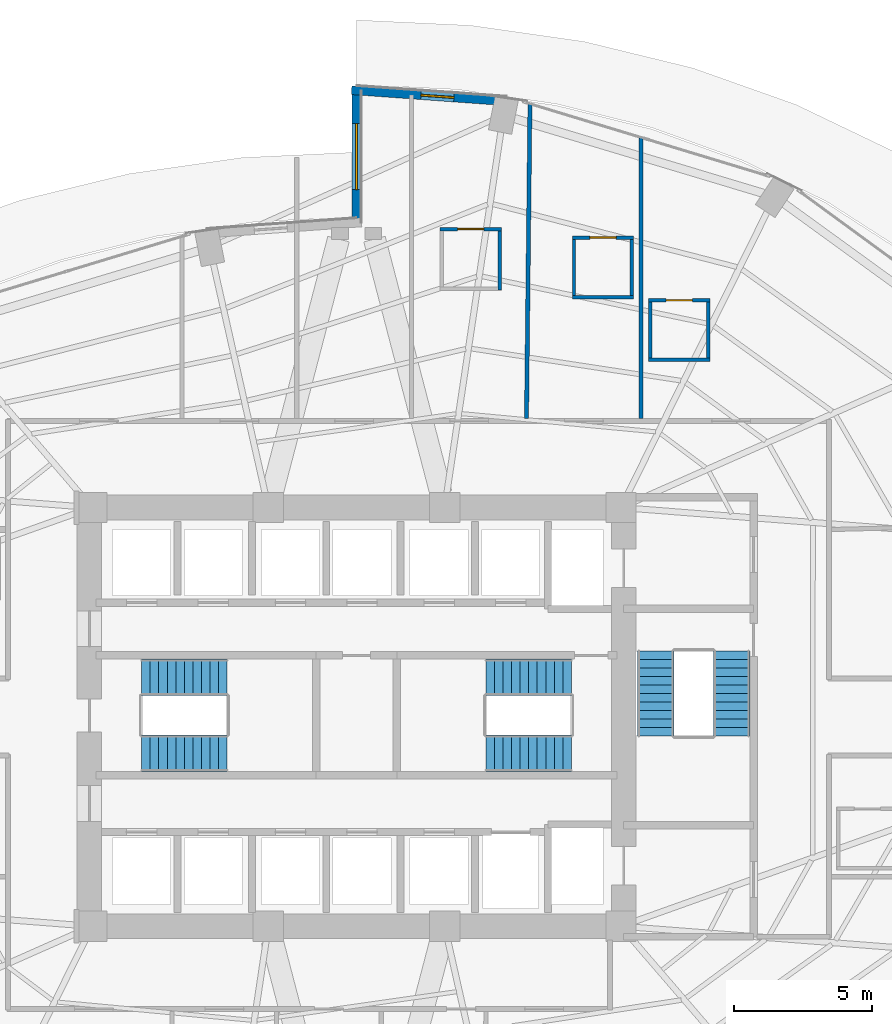
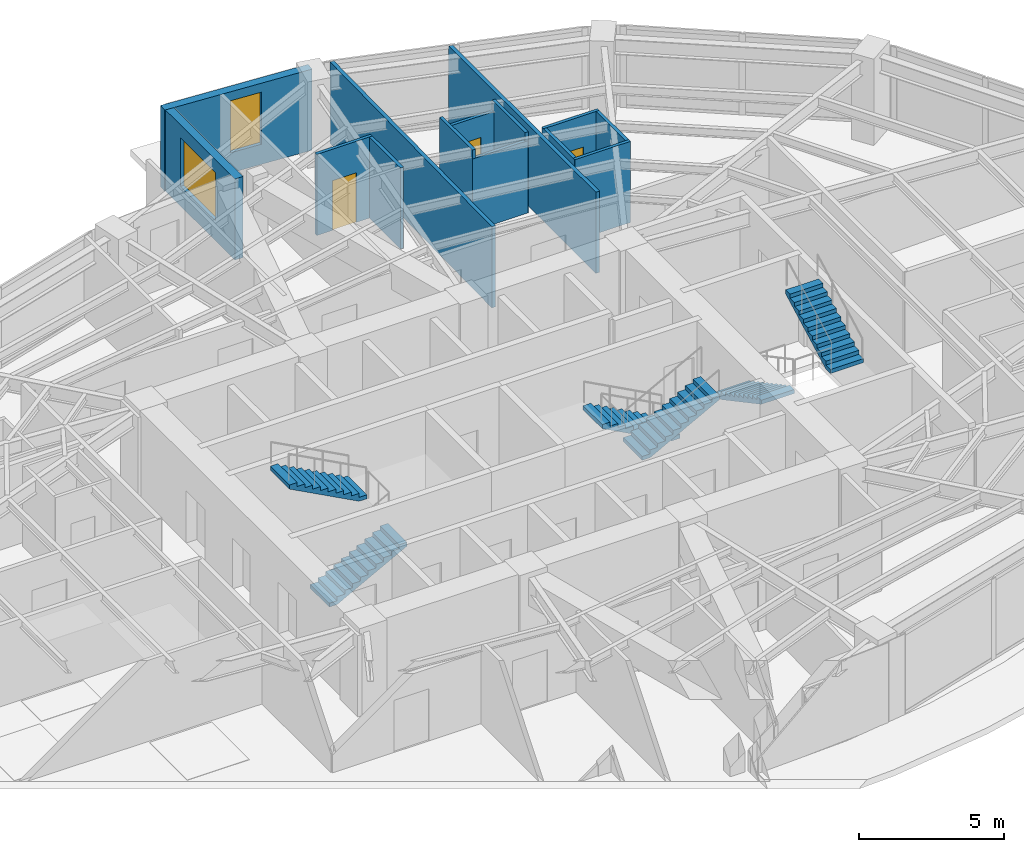
# One storey, part 23 of 25: 14 walls, 6 stair flights, 3 doors, 2 windows, 5 openings, 3 elements without a shape of their own.
"""IFC4 building model written with IfcOpenShell, lengths in metres."""

from ifc_helpers import new_model, si_unit, direction, frame, frame_2d, origin, place, context, subcontext, project, spatial, polyline, rectangle, outline, extrude, material, layer, layer_set, type_object, element, fill, aggregate, save


model = new_model("IFC4")

# Units and contexts
model_context = context("Model", 3, precision=1e-05, world=origin(), true_north=direction((0.0, 1.0)))
body_context = subcontext(model_context, "Body", "Model", "MODEL_VIEW")
ifc_project = project(units=[si_unit("LENGTHUNIT", "METRE"), si_unit("AREAUNIT", "SQUARE_METRE"), si_unit("VOLUMEUNIT", "CUBIC_METRE"), si_unit("PLANEANGLEUNIT", "RADIAN"), si_unit("MASSUNIT", "GRAM", prefix="KILO")], contexts=[model_context])

# Site, building, storey
site_placement = place(None, origin())
site = spatial("IfcSite", under=ifc_project, at=site_placement, CompositionType="ELEMENT")
building_placement = place(site_placement, origin())
building = spatial("IfcBuilding", under=site, at=building_placement, Name="Lazwardi Medical Tower", CompositionType="ELEMENT")
storey_placement = place(building_placement, frame((0.0, 0.0, 25.199951171875)))
storey = spatial("IfcBuildingStorey", under=building, at=storey_placement, Name="L05", CompositionType="ELEMENT", Elevation=25.199951171875)

# Wall, opening, door
ifc_material_1 = material(Name="Moisture-resistant gypsum board partition")
ifc_layer_1 = layer(ifc_material_1, 0.125)
ifc_layer_set_1 = layer_set([ifc_layer_1], Name="Moisture-resistant gypsum board partition")
wall_type_1 = type_object("IfcWallType", Name="WL-ENS-125", PredefinedType="PARTITIONING", material=ifc_layer_set_1)
wall_1_placement = place(storey_placement, frame((46.60498046875, 43.126953125, 0.0), z_axis=(0.0, 0.0, 1.0), x_axis=(1.0, 0.0, 0.0)))
wall_1 = element("IfcWall", 1, at=wall_1_placement, inside=storey, type_object=wall_type_1, Name="L05 En-suite wall 7N", PredefinedType="PARTITIONING", context=body_context, shape_type="SweptSolid", body=[
    extrude(rectangle(XDim=2.219970703125, YDim=0.125, at=frame_2d((1.10986328125, 0.0))), origin(), (0.0, 0.0, 1.0), 3.427978515625),
])
opening_1_placement = place(wall_1_placement, frame((0.635009765625, 0.0, 0.0)))
opening_1 = element("IfcOpeningElement", 2, at=opening_1_placement, cuts=wall_1, Name="Opening D-L05-005", PredefinedType="OPENING", context=body_context, shape_type="SweptSolid", body=[
    extrude(rectangle(XDim=0.949951171875, YDim=2.10009765625, at=frame_2d((0.47509765625, 1.050048828125))), frame((0.0, 0.072509765625, 0.0), z_axis=(0.0, -1.0, 0.0), x_axis=(1.0, 0.0, 0.0)), (0.0, 0.0, 1.0), 0.14501953125),
])
ifc_material_2 = material(Name="Moisture-resistant laminate door leaf")
door_type = type_object("IfcDoorType", Name="DR-ENS-950", OperationType="NOTDEFINED", PredefinedType="DOOR", material=ifc_material_2)
door_1_placement = place(opening_1_placement, origin())
door_1 = element("IfcDoor", 3, at=door_1_placement, inside=storey, type_object=door_type, Name="L05 En-suite Door 07", OperationType="SINGLE_SWING_RIGHT", OverallHeight=2.10009765625, OverallWidth=0.949951171875, PredefinedType="DOOR", context=body_context, shape_type="SweptSolid", body=[
    extrude(rectangle(XDim=0.949951171875, YDim=2.10009765625, at=frame_2d((0.47509765625, 1.050048828125))), frame((0.0, 0.02490234375, 0.0), z_axis=(0.0, -1.0, 0.0), x_axis=(1.0, 0.0, 0.0)), (0.0, 0.0, 1.0), 0.050048828125),
])
fill(opening_1, door_1)

# Walls
wall_2_placement = place(storey_placement, frame((46.60498046875, 40.967041015625, 0.0), z_axis=(0.0, 0.0, 1.0), x_axis=(1.0, 0.0, 0.0)))
element("IfcWall", 4, at=wall_2_placement, inside=storey, type_object=wall_type_1, Name="L05 En-suite wall 7S", PredefinedType="PARTITIONING", context=body_context, shape_type="SweptSolid", body=[
    extrude(rectangle(XDim=2.219970703125, YDim=0.125, at=frame_2d((1.10986328125, 0.0))), origin(), (0.0, 0.0, 1.0), 3.427978515625),
])
for number, where, z_axis, x_axis, name in (
    (5, (48.764892578125, 40.906982421875, 0.0), (0.0, 0.0, 1.0), (0.0, 1.0, 0.0), "L05 En-suite wall 7E"),
    (6, (46.6650390625, 40.906982421875, 0.0), (0.0, 0.0, 1.0), (0.0, 1.0, 0.0), "L05 En-suite wall 7W"),
):
    element("IfcWall", number, at=place(storey_placement, frame(where, z_axis=z_axis, x_axis=x_axis)), inside=storey, type_object=wall_type_1, Name=name, PredefinedType="PARTITIONING", context=body_context, shape_type="SweptSolid", body=[
        extrude(rectangle(XDim=2.280029296875, YDim=0.125, at=frame_2d((1.14013671875, 0.0))), origin(), (0.0, 0.0, 1.0), 3.427978515625),
    ])

# Wall, opening, door
wall_3_placement = place(storey_placement, frame((43.8349609375, 45.3994140625, 0.0), z_axis=(0.0, 0.0, 1.0), x_axis=(1.0, 0.0, 0.0)))
wall_3 = element("IfcWall", 7, at=wall_3_placement, inside=storey, type_object=wall_type_1, Name="L05 En-suite wall 8N", PredefinedType="PARTITIONING", context=body_context, shape_type="SweptSolid", body=[
    extrude(rectangle(XDim=2.219970703125, YDim=0.125, at=frame_2d((1.10986328125, 0.0))), origin(), (0.0, 0.0, 1.0), 3.012939453125),
])
opening_2_placement = place(wall_3_placement, frame((0.635009765625, 0.0, 0.0)))
opening_2 = element("IfcOpeningElement", 8, at=opening_2_placement, cuts=wall_3, Name="Opening D-L05-006", PredefinedType="OPENING", context=body_context, shape_type="SweptSolid", body=[
    extrude(rectangle(XDim=0.949951171875, YDim=2.10009765625, at=frame_2d((0.47509765625, 1.050048828125))), frame((0.0, 0.072509765625, 0.0), z_axis=(0.0, -1.0, 0.0), x_axis=(1.0, 0.0, 0.0)), (0.0, 0.0, 1.0), 0.14501953125),
])
door_2_placement = place(opening_2_placement, origin())
door_2 = element("IfcDoor", 9, at=door_2_placement, inside=storey, type_object=door_type, Name="L05 En-suite Door 08", OperationType="SINGLE_SWING_RIGHT", OverallHeight=2.10009765625, OverallWidth=0.949951171875, PredefinedType="DOOR", context=body_context, shape_type="SweptSolid", body=[
    extrude(rectangle(XDim=0.949951171875, YDim=2.10009765625, at=frame_2d((0.47509765625, 1.050048828125))), frame((0.0, 0.02490234375, 0.0), z_axis=(0.0, -1.0, 0.0), x_axis=(1.0, 0.0, 0.0)), (0.0, 0.0, 1.0), 0.050048828125),
])
fill(opening_2, door_2)

# Walls
wall_4_placement = place(storey_placement, frame((43.8349609375, 43.2392578125, 0.0), z_axis=(0.0, 0.0, 1.0), x_axis=(1.0, 0.0, 0.0)))
element("IfcWall", 10, at=wall_4_placement, inside=storey, type_object=wall_type_1, Name="L05 En-suite wall 8S", PredefinedType="PARTITIONING", context=body_context, shape_type="SweptSolid", body=[
    extrude(rectangle(XDim=2.219970703125, YDim=0.125, at=frame_2d((1.10986328125, 0.0))), origin(), (0.0, 0.0, 1.0), 3.052978515625),
])
for number, where, z_axis, x_axis, name in (
    (11, (45.9951171875, 43.17919921875, 0.0), (0.0, 0.0, 1.0), (0.0, 1.0, 0.0), "L05 En-suite wall 8E"),
    (12, (43.89501953125, 43.17919921875, 0.0), (0.0, 0.0, 1.0), (0.0, 1.0, 0.0), "L05 En-suite wall 8W"),
):
    element("IfcWall", number, at=place(storey_placement, frame(where, z_axis=z_axis, x_axis=x_axis)), inside=storey, type_object=wall_type_1, Name=name, PredefinedType="PARTITIONING", context=body_context, shape_type="SweptSolid", body=[
        extrude(rectangle(XDim=2.280029296875, YDim=0.125, at=frame_2d((1.14013671875, 0.0))), origin(), (0.0, 0.0, 1.0), 3.427978515625),
    ])

# Wall, opening, door
wall_5_placement = place(storey_placement, frame((39.035888671875, 45.7109375, 0.0), z_axis=(0.0, 0.0, 1.0), x_axis=(1.0, 0.0, 0.0)))
wall_5 = element("IfcWall", 13, at=wall_5_placement, inside=storey, type_object=wall_type_1, Name="L05 En-suite wall 9N", PredefinedType="PARTITIONING", context=body_context, shape_type="SweptSolid", body=[
    extrude(rectangle(XDim=2.219970703125, YDim=0.125, at=frame_2d((1.10986328125, 0.0))), origin(), (0.0, 0.0, 1.0), 3.427978515625),
])
opening_3_placement = place(wall_5_placement, frame((0.635009765625, 0.0, 0.0)))
opening_3 = element("IfcOpeningElement", 14, at=opening_3_placement, cuts=wall_5, Name="Opening D-L05-007", PredefinedType="OPENING", context=body_context, shape_type="SweptSolid", body=[
    extrude(rectangle(XDim=0.949951171875, YDim=2.10009765625, at=frame_2d((0.47509765625, 1.050048828125))), frame((0.0, 0.072509765625, 0.0), z_axis=(0.0, -1.0, 0.0), x_axis=(1.0, 0.0, 0.0)), (0.0, 0.0, 1.0), 0.14501953125),
])
door_3_placement = place(opening_3_placement, origin())
door_3 = element("IfcDoor", 15, at=door_3_placement, inside=storey, type_object=door_type, Name="L05 En-suite Door 09", OperationType="SINGLE_SWING_RIGHT", OverallHeight=2.10009765625, OverallWidth=0.949951171875, PredefinedType="DOOR", context=body_context, shape_type="SweptSolid", body=[
    extrude(rectangle(XDim=0.949951171875, YDim=2.10009765625, at=frame_2d((0.47509765625, 1.050048828125))), frame((0.0, 0.02490234375, 0.0), z_axis=(0.0, -1.0, 0.0), x_axis=(1.0, 0.0, 0.0)), (0.0, 0.0, 1.0), 0.050048828125),
])
fill(opening_3, door_3)

# Wall
wall_6_placement = place(storey_placement, frame((41.19580078125, 43.490966796875, 0.0), z_axis=(0.0, 0.0, 1.0), x_axis=(0.0, 1.0, 0.0)))
element("IfcWall", 16, at=wall_6_placement, inside=storey, type_object=wall_type_1, Name="L05 En-suite wall 9E", PredefinedType="PARTITIONING", context=body_context, shape_type="SweptSolid", body=[
    extrude(rectangle(XDim=2.280029296875, YDim=0.125, at=frame_2d((1.14013671875, 0.0))), origin(), (0.0, 0.0, 1.0), 3.427978515625),
])

# Wall, opening, window
ifc_material_3 = material(Name="Precast concrete C45/55", Category="concrete")
ifc_layer_2 = layer(ifc_material_3, 0.320068359375)
ifc_layer_set_2 = layer_set([ifc_layer_2], Name="Precast concrete C45/55")
wall_type_2 = type_object("IfcWallType", Name="WL-IWAN-320", PredefinedType="SOLIDWALL", material=ifc_layer_set_2)
wall_7_placement = place(storey_placement, frame((41.481201171875, 50.345703125, 0.0), z_axis=(0.0, 0.0, 1.0), x_axis=(-0.997422321809, 0.071754525696, 0.0)))
wall_7 = element("IfcWall", 17, at=wall_7_placement, inside=storey, type_object=wall_type_2, Name="L05 Iwan Portal Return Wall NE_ret", PredefinedType="SOLIDWALL", context=body_context, shape_type="SweptSolid", body=[
    extrude(rectangle(XDim=5.67529296875, YDim=0.320068359375, at=frame_2d((2.837646484375, 0.0))), origin(), (0.0, 0.0, 1.0), 3.427978515625),
])
opening_4_placement = place(wall_7_placement, frame((1.94921875, 0.0, 0.85009765625)))
opening_4 = element("IfcOpeningElement", 18, at=opening_4_placement, cuts=wall_7, Name="Opening WN-01", PredefinedType="OPENING", context=body_context, shape_type="SweptSolid", body=[
    extrude(rectangle(XDim=1.199951171875, YDim=2.199951171875, at=frame_2d((0.60009765625, 1.10009765625))), frame((0.0, 0.169921875, 0.0), z_axis=(0.0, -1.0, 0.0), x_axis=(1.0, 0.0, 0.0)), (0.0, 0.0, 1.0), 0.340087890625),
])
ifc_material_4 = material(Name="Low-e bronze solar control double glazing", Category="glass")
window_type_1 = type_object("IfcWindowType", Name="WIN-IW-1200", PartitioningType="SINGLE_PANEL", PredefinedType="WINDOW", material=ifc_material_4)
window_1_placement = place(opening_4_placement, origin())
window_1 = element("IfcWindow", 19, at=window_1_placement, inside=storey, type_object=window_type_1, Name="L05 Iwan Slot Window NE_ret", OverallHeight=2.199951171875, OverallWidth=1.199951171875, PartitioningType="SINGLE_PANEL", PredefinedType="WINDOW", context=body_context, shape_type="SweptSolid", body=[
    extrude(rectangle(XDim=1.199951171875, YDim=2.199951171875, at=frame_2d((0.60009765625, 1.10009765625))), frame((0.0, 0.030029296875, 0.0), z_axis=(0.0, -1.0, 0.0), x_axis=(1.0, 0.0, 0.0)), (0.0, 0.0, 1.0), 0.06005859375),
])
fill(opening_4, window_1)

wall_8_placement = place(storey_placement, frame((36.0, 50.89990234375, 0.0), z_axis=(0.0, 0.0, 1.0), x_axis=(0.0, -1.0, 0.0)))
wall_8 = element("IfcWall", 20, at=wall_8_placement, inside=storey, type_object=wall_type_2, Name="L05 Turquoise Tilework Iwan Seam Wall N_seam", PredefinedType="SOLIDWALL", context=body_context, shape_type="SweptSolid", body=[
    extrude(rectangle(XDim=5.119873046875, YDim=0.320068359375, at=frame_2d((2.56005859375, 0.0))), origin(), (0.0, 0.0, 1.0), 3.427978515625),
])
opening_5_placement = place(wall_8_placement, frame((1.360107421875, 0.0, 0.840087890625)))
opening_5 = element("IfcOpeningElement", 21, at=opening_5_placement, cuts=wall_8, Name="Opening WN-02", PredefinedType="OPENING", context=body_context, shape_type="SweptSolid", body=[
    extrude(rectangle(XDim=2.39990234375, YDim=2.0400390625, at=frame_2d((1.199951171875, 1.02001953125))), frame((0.0, 0.169921875, 0.0), z_axis=(0.0, -1.0, 0.0), x_axis=(1.0, 0.0, 0.0)), (0.0, 0.0, 1.0), 0.340087890625),
])
window_type_2 = type_object("IfcWindowType", Name="WIN-IW-2400", PartitioningType="SINGLE_PANEL", PredefinedType="WINDOW", material=ifc_material_4)
window_2_placement = place(opening_5_placement, origin())
window_2 = element("IfcWindow", 22, at=window_2_placement, inside=storey, type_object=window_type_2, Name="L05 Iwan Seam Window N_seam", OverallHeight=2.0400390625, OverallWidth=2.39990234375, PartitioningType="SINGLE_PANEL", PredefinedType="WINDOW", context=body_context, shape_type="SweptSolid", body=[
    extrude(rectangle(XDim=2.39990234375, YDim=2.0400390625, at=frame_2d((1.199951171875, 1.02001953125))), frame((0.0, 0.030029296875, 0.0), z_axis=(0.0, -1.0, 0.0), x_axis=(1.0, 0.0, 0.0)), (0.0, 0.0, 1.0), 0.06005859375),
])
fill(opening_5, window_2)

# Walls
ifc_material_5 = material(Name="Acoustic gypsum board partition")
ifc_layer_3 = layer(ifc_material_5, 0.14990234375)
ifc_layer_set_3 = layer_set([ifc_layer_3], Name="Acoustic gypsum board partition")
wall_type_3 = type_object("IfcWallType", Name="WL-WRD-150", PredefinedType="PARTITIONING", material=ifc_layer_set_3)
wall_9_placement = place(storey_placement, frame((42.1708984375, 38.840087890625, 0.0), z_axis=(0.0, 0.0, 1.0), x_axis=(0.010986468696, 0.999939646932, 0.0)))
element("IfcWall", 23, at=wall_9_placement, inside=storey, type_object=wall_type_3, Name="L05 Room partition 8", PredefinedType="PARTITIONING", context=body_context, shape_type="SweptSolid", body=[
    extrude(rectangle(XDim=11.422119140625, YDim=0.14990234375, at=frame_2d((5.7109375, 0.0))), origin(), (0.0, 0.0, 1.0), 3.427978515625),
])
wall_10_placement = place(storey_placement, frame((46.330078125, 38.840087890625, 0.0), z_axis=(0.0, 0.0, 1.0), x_axis=(0.0, 1.0, 0.0)))
element("IfcWall", 24, at=wall_10_placement, inside=storey, type_object=wall_type_3, Name="L05 Room partition 9", PredefinedType="PARTITIONING", context=body_context, shape_type="SweptSolid", body=[
    extrude(rectangle(XDim=10.1845703125, YDim=0.14990234375, at=frame_2d((5.09228515625, 0.0))), origin(), (0.0, 0.0, 1.0), 3.427978515625),
])

# Stair, stair flights
ifc_material_6 = material(Name="Concrete C45/55", Category="concrete")
stair_type = type_object("IfcStairType", Name="STR-WRD", PredefinedType="HALF_TURN_STAIR", material=ifc_material_6)
stair_1_placement = place(storey_placement, origin())
stair_1 = element("IfcStair", 25, at=stair_1_placement, inside=storey, type_object=stair_type, Name="L05 Protected Exit Stair ST1", PredefinedType="HALF_TURN_STAIR")
stair_flight_type = type_object("IfcStairFlightType", Name="FLT-WRD", PredefinedType="STRAIGHT", material=ifc_material_6)
stair_flight_1_placement = place(storey_placement, frame((28.199951171875, 26.679931640625, 0.0), z_axis=(0.0, 0.0, 1.0), x_axis=(1.0, 0.0, 0.0)))
stair_flight_1 = element("IfcStairFlight", 26, at=stair_flight_1_placement, type_object=stair_flight_type, Name="ST1 flight 1", NumberOfRisers=11, NumberOfTreads=10, PredefinedType="STRAIGHT", RiserHeight=0.165818182, TreadLength=0.31, context=body_context, shape_type="SweptSolid", body=[
    extrude(outline(polyline([(0.0, 0.0), (0.0, 0.165771484375), (0.31005859375, 0.165771484375), (0.31005859375, 0.33154296875), (0.6201171875, 0.33154296875), (0.6201171875, 0.49755859375), (0.929931640625, 0.49755859375), (0.929931640625, 0.663330078125), (1.239990234375, 0.663330078125), (1.239990234375, 0.8291015625), (1.550048828125, 0.8291015625), (1.550048828125, 0.994873046875), (1.860107421875, 0.994873046875), (1.860107421875, 1.16064453125), (2.169921875, 1.16064453125), (2.169921875, 1.32666015625), (2.47998046875, 1.32666015625), (2.47998046875, 1.492431640625), (2.7900390625, 1.492431640625), (2.7900390625, 1.658203125), (3.10009765625, 1.658203125), (3.10009765625, 1.823974609375), (3.10009765625, 1.48828125), (0.31787109375, 0.0), (0.0, 0.0)])), frame((0.0, 0.66015625, 0.0), z_axis=(0.0, -1.0, 0.0), x_axis=(1.0, 0.0, 0.0)), (0.0, 0.0, 1.0), 1.320068359375),
])
stair_flight_2_placement = place(storey_placement, frame((31.300048828125, 29.43994140625, 1.823974609375), z_axis=(0.0, 0.0, 1.0), x_axis=(-1.0, 0.0, 0.0)))
stair_flight_2 = element("IfcStairFlight", 27, at=stair_flight_2_placement, type_object=stair_flight_type, Name="ST1 flight 2", NumberOfRisers=11, NumberOfTreads=10, PredefinedType="STRAIGHT", RiserHeight=0.165818182, TreadLength=0.31, context=body_context, shape_type="SweptSolid", body=[
    extrude(outline(polyline([(0.0, 0.0), (0.0, 0.165771484375), (0.31005859375, 0.165771484375), (0.31005859375, 0.33154296875), (0.6201171875, 0.33154296875), (0.6201171875, 0.49755859375), (0.929931640625, 0.49755859375), (0.929931640625, 0.663330078125), (1.239990234375, 0.663330078125), (1.239990234375, 0.8291015625), (1.550048828125, 0.8291015625), (1.550048828125, 0.994873046875), (1.860107421875, 0.994873046875), (1.860107421875, 1.16064453125), (2.169921875, 1.16064453125), (2.169921875, 1.32666015625), (2.47998046875, 1.32666015625), (2.47998046875, 1.492431640625), (2.7900390625, 1.492431640625), (2.7900390625, 1.658203125), (3.10009765625, 1.658203125), (3.10009765625, 1.823974609375), (3.10009765625, 1.48828125), (0.31787109375, 0.0), (0.0, 0.0)])), frame((0.0, 0.66015625, 0.0), z_axis=(0.0, -1.0, 0.0), x_axis=(1.0, 0.0, 0.0)), (0.0, 0.0, 1.0), 1.320068359375),
])
aggregate(stair_1, [stair_flight_1, stair_flight_2])

stair_2_placement = place(storey_placement, origin())
stair_2 = element("IfcStair", 28, at=stair_2_placement, inside=storey, type_object=stair_type, Name="L05 Protected Exit Stair ST2", PredefinedType="HALF_TURN_STAIR")
stair_flight_3_placement = place(storey_placement, frame((43.800048828125, 29.43994140625, 0.0), z_axis=(0.0, 0.0, 1.0), x_axis=(-1.0, 0.0, 0.0)))
stair_flight_3 = element("IfcStairFlight", 29, at=stair_flight_3_placement, type_object=stair_flight_type, Name="ST2 flight 1", NumberOfRisers=11, NumberOfTreads=10, PredefinedType="STRAIGHT", RiserHeight=0.165818182, TreadLength=0.31, context=body_context, shape_type="SweptSolid", body=[
    extrude(outline(polyline([(0.0, 0.0), (0.0, 0.165771484375), (0.31005859375, 0.165771484375), (0.31005859375, 0.33154296875), (0.6201171875, 0.33154296875), (0.6201171875, 0.49755859375), (0.929931640625, 0.49755859375), (0.929931640625, 0.663330078125), (1.239990234375, 0.663330078125), (1.239990234375, 0.8291015625), (1.550048828125, 0.8291015625), (1.550048828125, 0.994873046875), (1.860107421875, 0.994873046875), (1.860107421875, 1.16064453125), (2.169921875, 1.16064453125), (2.169921875, 1.32666015625), (2.47998046875, 1.32666015625), (2.47998046875, 1.492431640625), (2.7900390625, 1.492431640625), (2.7900390625, 1.658203125), (3.10009765625, 1.658203125), (3.10009765625, 1.823974609375), (3.10009765625, 1.48828125), (0.31787109375, 0.0), (0.0, 0.0)])), frame((0.0, 0.66015625, 0.0), z_axis=(0.0, -1.0, 0.0), x_axis=(1.0, 0.0, 0.0)), (0.0, 0.0, 1.0), 1.320068359375),
])
stair_flight_4_placement = place(storey_placement, frame((40.699951171875, 26.679931640625, 1.823974609375), z_axis=(0.0, 0.0, 1.0), x_axis=(1.0, 0.0, 0.0)))
stair_flight_4 = element("IfcStairFlight", 30, at=stair_flight_4_placement, type_object=stair_flight_type, Name="ST2 flight 2", NumberOfRisers=11, NumberOfTreads=10, PredefinedType="STRAIGHT", RiserHeight=0.165818182, TreadLength=0.31, context=body_context, shape_type="SweptSolid", body=[
    extrude(outline(polyline([(0.0, 0.0), (0.0, 0.165771484375), (0.31005859375, 0.165771484375), (0.31005859375, 0.33154296875), (0.6201171875, 0.33154296875), (0.6201171875, 0.49755859375), (0.929931640625, 0.49755859375), (0.929931640625, 0.663330078125), (1.239990234375, 0.663330078125), (1.239990234375, 0.8291015625), (1.550048828125, 0.8291015625), (1.550048828125, 0.994873046875), (1.860107421875, 0.994873046875), (1.860107421875, 1.16064453125), (2.169921875, 1.16064453125), (2.169921875, 1.32666015625), (2.47998046875, 1.32666015625), (2.47998046875, 1.492431640625), (2.7900390625, 1.492431640625), (2.7900390625, 1.658203125), (3.10009765625, 1.658203125), (3.10009765625, 1.823974609375), (3.10009765625, 1.48828125), (0.31787109375, 0.0), (0.0, 0.0)])), frame((0.0, 0.66015625, 0.0), z_axis=(0.0, -1.0, 0.0), x_axis=(1.0, 0.0, 0.0)), (0.0, 0.0, 1.0), 1.320068359375),
])
aggregate(stair_2, [stair_flight_3, stair_flight_4])

stair_3_placement = place(storey_placement, origin())
stair_3 = element("IfcStair", 31, at=stair_3_placement, inside=storey, type_object=stair_type, Name="L05 Protected Exit Stair ST3", PredefinedType="HALF_TURN_STAIR")
stair_flight_5_placement = place(storey_placement, frame((46.860107421875, 30.39990234375, 0.0), z_axis=(0.0, 0.0, 1.0), x_axis=(0.0, -1.0, 0.0)))
stair_flight_5 = element("IfcStairFlight", 32, at=stair_flight_5_placement, type_object=stair_flight_type, Name="ST3 flight 1", NumberOfRisers=11, NumberOfTreads=10, PredefinedType="STRAIGHT", RiserHeight=0.165818182, TreadLength=0.31, context=body_context, shape_type="SweptSolid", body=[
    extrude(outline(polyline([(0.0, 0.0), (0.0, 0.165771484375), (0.31005859375, 0.165771484375), (0.31005859375, 0.33154296875), (0.6201171875, 0.33154296875), (0.6201171875, 0.49755859375), (0.929931640625, 0.49755859375), (0.929931640625, 0.663330078125), (1.239990234375, 0.663330078125), (1.239990234375, 0.8291015625), (1.550048828125, 0.8291015625), (1.550048828125, 0.994873046875), (1.860107421875, 0.994873046875), (1.860107421875, 1.16064453125), (2.169921875, 1.16064453125), (2.169921875, 1.32666015625), (2.47998046875, 1.32666015625), (2.47998046875, 1.492431640625), (2.7900390625, 1.492431640625), (2.7900390625, 1.658203125), (3.10009765625, 1.658203125), (3.10009765625, 1.823974609375), (3.10009765625, 1.48828125), (0.31787109375, 0.0), (0.0, 0.0)])), frame((0.0, 0.66015625, 0.0), z_axis=(0.0, -1.0, 0.0), x_axis=(1.0, 0.0, 0.0)), (0.0, 0.0, 1.0), 1.320068359375),
])
stair_flight_6_placement = place(storey_placement, frame((49.6201171875, 27.300048828125, 1.823974609375), z_axis=(0.0, 0.0, 1.0), x_axis=(0.0, 1.0, 0.0)))
stair_flight_6 = element("IfcStairFlight", 33, at=stair_flight_6_placement, type_object=stair_flight_type, Name="ST3 flight 2", NumberOfRisers=11, NumberOfTreads=10, PredefinedType="STRAIGHT", RiserHeight=0.165818182, TreadLength=0.31, context=body_context, shape_type="SweptSolid", body=[
    extrude(outline(polyline([(0.0, 0.0), (0.0, 0.165771484375), (0.31005859375, 0.165771484375), (0.31005859375, 0.33154296875), (0.6201171875, 0.33154296875), (0.6201171875, 0.49755859375), (0.929931640625, 0.49755859375), (0.929931640625, 0.663330078125), (1.239990234375, 0.663330078125), (1.239990234375, 0.8291015625), (1.550048828125, 0.8291015625), (1.550048828125, 0.994873046875), (1.860107421875, 0.994873046875), (1.860107421875, 1.16064453125), (2.169921875, 1.16064453125), (2.169921875, 1.32666015625), (2.47998046875, 1.32666015625), (2.47998046875, 1.492431640625), (2.7900390625, 1.492431640625), (2.7900390625, 1.658203125), (3.10009765625, 1.658203125), (3.10009765625, 1.823974609375), (3.10009765625, 1.48828125), (0.31787109375, 0.0), (0.0, 0.0)])), frame((0.0, 0.66015625, 0.0), z_axis=(0.0, -1.0, 0.0), x_axis=(1.0, 0.0, 0.0)), (0.0, 0.0, 1.0), 1.320068359375),
])
aggregate(stair_3, [stair_flight_5, stair_flight_6])

save(model, "model.ifc")
